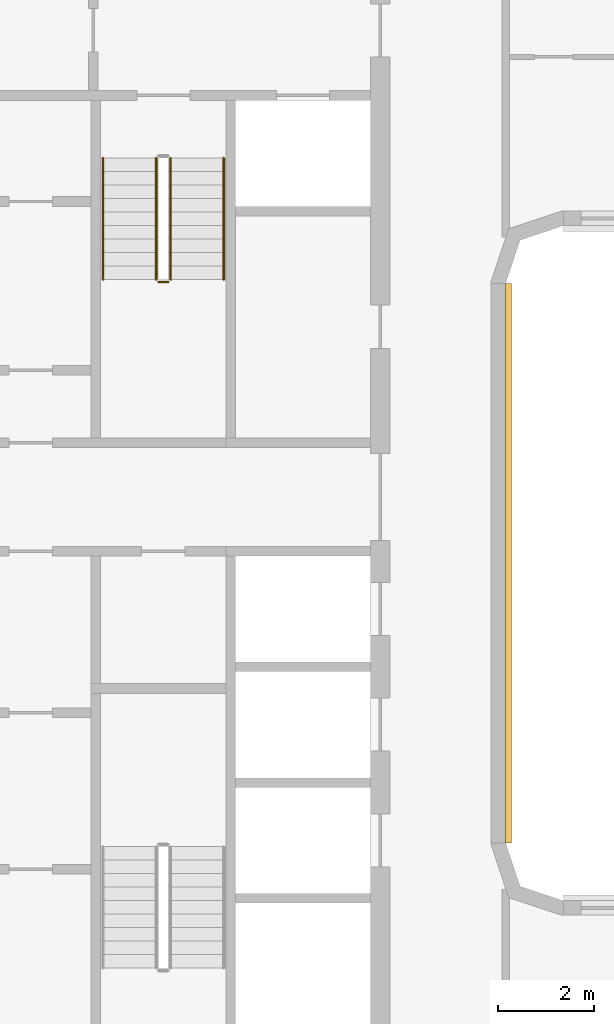
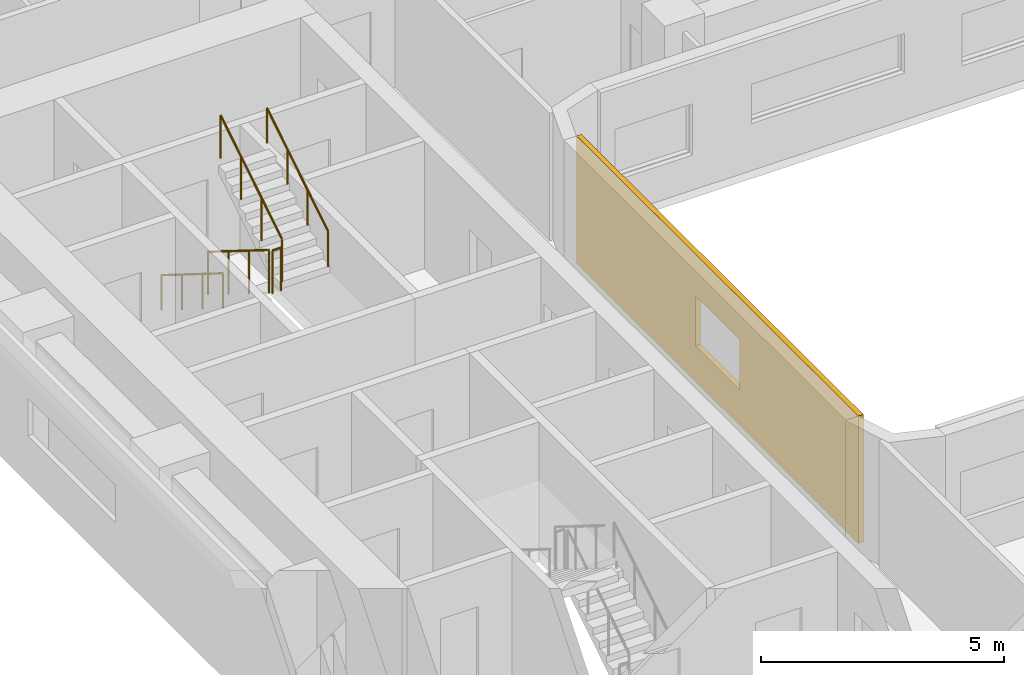
# One storey, part 15 of 21: 5 railings, 1 covering.
"""IFC4 building model written with IfcOpenShell, lengths in metres."""

from ifc_helpers import new_model, si_unit, direction, frame, origin, origin_2d, place, context, subcontext, project, spatial, polyline, circle, outline, extrude, material, layer, layer_set, type_object, element, save


model = new_model("IFC4")

# Units and contexts
model_context = context("Model", 3, precision=1e-05, world=origin(), true_north=direction((0.0, 1.0)))
body_context = subcontext(model_context, "Body", "Model", "MODEL_VIEW")
ifc_project = project(units=[si_unit("LENGTHUNIT", "METRE"), si_unit("AREAUNIT", "SQUARE_METRE"), si_unit("VOLUMEUNIT", "CUBIC_METRE"), si_unit("PLANEANGLEUNIT", "RADIAN"), si_unit("MASSUNIT", "GRAM", prefix="KILO")], contexts=[model_context])

# Site, building, storey
site_placement = place(None, origin())
site = spatial("IfcSite", under=ifc_project, at=site_placement, CompositionType="ELEMENT")
building_placement = place(site_placement, origin())
building = spatial("IfcBuilding", under=site, at=building_placement, Name="Kiln Ring Residences", CompositionType="ELEMENT")
storey_placement = place(building_placement, frame((0.0, 0.0, 114.800048828125)))
storey = spatial("IfcBuildingStorey", under=building, at=storey_placement, Name="L29", CompositionType="ELEMENT", Elevation=114.800048828125)

# Railings
ifc_material_1 = material(Name="Stainless steel", Category="steel")
railing_type_1 = type_object("IfcRailingType", Name="CORE-STAIR-GUARD", PredefinedType="GUARDRAIL", material=ifc_material_1)
railing_1_placement = place(storey_placement, frame((-22.25, 8.39990234375, 0.175048828125)))
element("IfcRailing", 1, at=railing_1_placement, inside=storey, type_object=railing_type_1, Name="L29 W-STN stair guard 1", PredefinedType="GUARDRAIL", context=body_context, shape_type="SweptSolid", body=[
    extrude(circle(Radius=0.02392578125, at=origin_2d()), frame((0.0, 0.0, 1.076171875), z_axis=(0.0, -0.848007534815, 0.529984170421), x_axis=(1.0, 0.0, 0.0)), (0.0, 0.0, 1.0), 2.9716796875),
    extrude(circle(Radius=0.02099609375, at=origin_2d()), origin(), (0.0, 0.0, 1.0), 1.052001953125),
    extrude(circle(Radius=0.02099609375, at=origin_2d()), frame((0.0, -0.840087890625, 0.52490234375)), (0.0, 0.0, 1.0), 1.052001953125),
    extrude(circle(Radius=0.02099609375, at=origin_2d()), frame((0.0, -1.679931640625, 1.050048828125)), (0.0, 0.0, 1.0), 1.052001953125),
    extrude(circle(Radius=0.02099609375, at=origin_2d()), frame((0.0, -2.52001953125, 1.574951171875)), (0.0, 0.0, 1.0), 1.052001953125),
])
railing_2_placement = place(storey_placement, frame((-22.199951171875, 5.830078125, 1.75)))
element("IfcRailing", 2, at=railing_2_placement, inside=storey, type_object=railing_type_1, Name="L29 W-STN stair guard 2", PredefinedType="GUARDRAIL", context=body_context, shape_type="SweptSolid", body=[
    extrude(circle(Radius=0.02392578125, at=origin_2d()), frame((0.0, 0.0, 1.076171875), z_axis=(1.0, 0.0, 0.0), x_axis=(0.0, 1.0, 0.0)), (0.0, 0.0, 1.0), 0.199951171875),
    extrude(circle(Radius=0.02099609375, at=origin_2d()), origin(), (0.0, 0.0, 1.0), 1.052001953125),
    extrude(circle(Radius=0.02099609375, at=origin_2d()), frame((0.199951171875, 0.0, 0.0)), (0.0, 0.0, 1.0), 1.052001953125),
])
railing_3_placement = place(storey_placement, frame((-21.949951171875, 5.8798828125, 1.925048828125)))
element("IfcRailing", 3, at=railing_3_placement, inside=storey, type_object=railing_type_1, Name="L29 W-STN stair guard 3", PredefinedType="GUARDRAIL", context=body_context, shape_type="SweptSolid", body=[
    extrude(circle(Radius=0.02392578125, at=origin_2d()), frame((0.0, 0.0, 1.076171875), z_axis=(0.0, 0.848007534815, 0.529984170421), x_axis=(-1.0, 0.0, 0.0)), (0.0, 0.0, 1.0), 2.9716796875),
    extrude(circle(Radius=0.02099609375, at=origin_2d()), origin(), (0.0, 0.0, 1.0), 1.052001953125),
    extrude(circle(Radius=0.02099609375, at=origin_2d()), frame((0.0, 0.840087890625, 0.52490234375)), (0.0, 0.0, 1.0), 1.052001953125),
    extrude(circle(Radius=0.02099609375, at=origin_2d()), frame((0.0, 1.679931640625, 1.050048828125)), (0.0, 0.0, 1.0), 1.052001953125),
    extrude(circle(Radius=0.02099609375, at=origin_2d()), frame((0.0, 2.52001953125, 1.574951171875)), (0.0, 0.0, 1.0), 1.052001953125),
])
ifc_material_2 = material(Name="Stainless steel", Category="steel")
railing_type_2 = type_object("IfcRailingType", Name="CORE-STAIR-HANDRAIL", PredefinedType="HANDRAIL", material=ifc_material_2)
railing_4_placement = place(storey_placement, frame((-23.35009765625, 8.39990234375, 0.175048828125)))
element("IfcRailing", 4, at=railing_4_placement, inside=storey, type_object=railing_type_2, Name="L29 W-STN stair handrail 1", PredefinedType="HANDRAIL", context=body_context, shape_type="SweptSolid", body=[
    extrude(circle(Radius=0.02392578125, at=origin_2d()), frame((0.0, 0.0, 0.8759765625), z_axis=(0.0, -0.848007534815, 0.529984170421), x_axis=(1.0, 0.0, 0.0)), (0.0, 0.0, 1.0), 2.9716796875),
    extrude(circle(Radius=0.02099609375, at=origin_2d()), origin(), (0.0, 0.0, 1.0), 0.851806640625),
    extrude(circle(Radius=0.02099609375, at=origin_2d()), frame((0.0, -0.840087890625, 0.52490234375)), (0.0, 0.0, 1.0), 0.851806640625),
    extrude(circle(Radius=0.02099609375, at=origin_2d()), frame((0.0, -1.679931640625, 1.050048828125)), (0.0, 0.0, 1.0), 0.851806640625),
    extrude(circle(Radius=0.02099609375, at=origin_2d()), frame((0.0, -2.52001953125, 1.574951171875)), (0.0, 0.0, 1.0), 0.851806640625),
])
railing_5_placement = place(storey_placement, frame((-20.85009765625, 5.8798828125, 1.925048828125)))
element("IfcRailing", 5, at=railing_5_placement, inside=storey, type_object=railing_type_2, Name="L29 W-STN stair handrail 2", PredefinedType="HANDRAIL", context=body_context, shape_type="SweptSolid", body=[
    extrude(circle(Radius=0.02392578125, at=origin_2d()), frame((0.0, 0.0, 0.8759765625), z_axis=(0.0, 0.848007534815, 0.529984170421), x_axis=(-1.0, 0.0, 0.0)), (0.0, 0.0, 1.0), 2.9716796875),
    extrude(circle(Radius=0.02099609375, at=origin_2d()), origin(), (0.0, 0.0, 1.0), 0.851806640625),
    extrude(circle(Radius=0.02099609375, at=origin_2d()), frame((0.0, 0.840087890625, 0.52490234375)), (0.0, 0.0, 1.0), 0.851806640625),
    extrude(circle(Radius=0.02099609375, at=origin_2d()), frame((0.0, 1.679931640625, 1.050048828125)), (0.0, 0.0, 1.0), 0.851806640625),
    extrude(circle(Radius=0.02099609375, at=origin_2d()), frame((0.0, 2.52001953125, 1.574951171875)), (0.0, 0.0, 1.0), 0.851806640625),
])

# Covering
ifc_material_3 = material(Name="Brick masonry, dark clay brick", Category="masonry")
ifc_layer = layer(ifc_material_3, 0.1201171875)
ifc_layer_set = layer_set([ifc_layer], Name="RAINSCREEN PANEL 120")
covering_type = type_object("IfcCoveringType", Name="RAINSCREEN PANEL 120", PredefinedType="CLADDING", material=ifc_layer_set)
covering_placement = place(storey_placement, frame((-14.93994140625, -5.800048828125, 0.0), z_axis=(0.0, 0.0, 1.0), x_axis=(0.0, 1.0, 0.0)))
element("IfcCovering", 6, at=covering_placement, inside=storey, type_object=covering_type, Name="RAINSCREEN L29", PredefinedType="CLADDING", context=body_context, shape_type="SweptSolid", body=[
    extrude(outline(polyline([(0.0, 0.0), (11.60009765625, 0.0), (11.60009765625, 3.199951171875), (0.0, 3.199951171875), (0.0, 0.0)]), holes=[polyline([(4.89990234375, 2.14990234375), (4.89990234375, 0.89990234375), (6.699951171875, 0.89990234375), (6.699951171875, 2.14990234375), (4.89990234375, 2.14990234375)])]), frame((0.0, 0.06005859375, 0.0), z_axis=(0.0, -1.0, 0.0), x_axis=(1.0, 0.0, 0.0)), (0.0, 0.0, 1.0), 0.1201171875),
])

save(model, "model.ifc")
